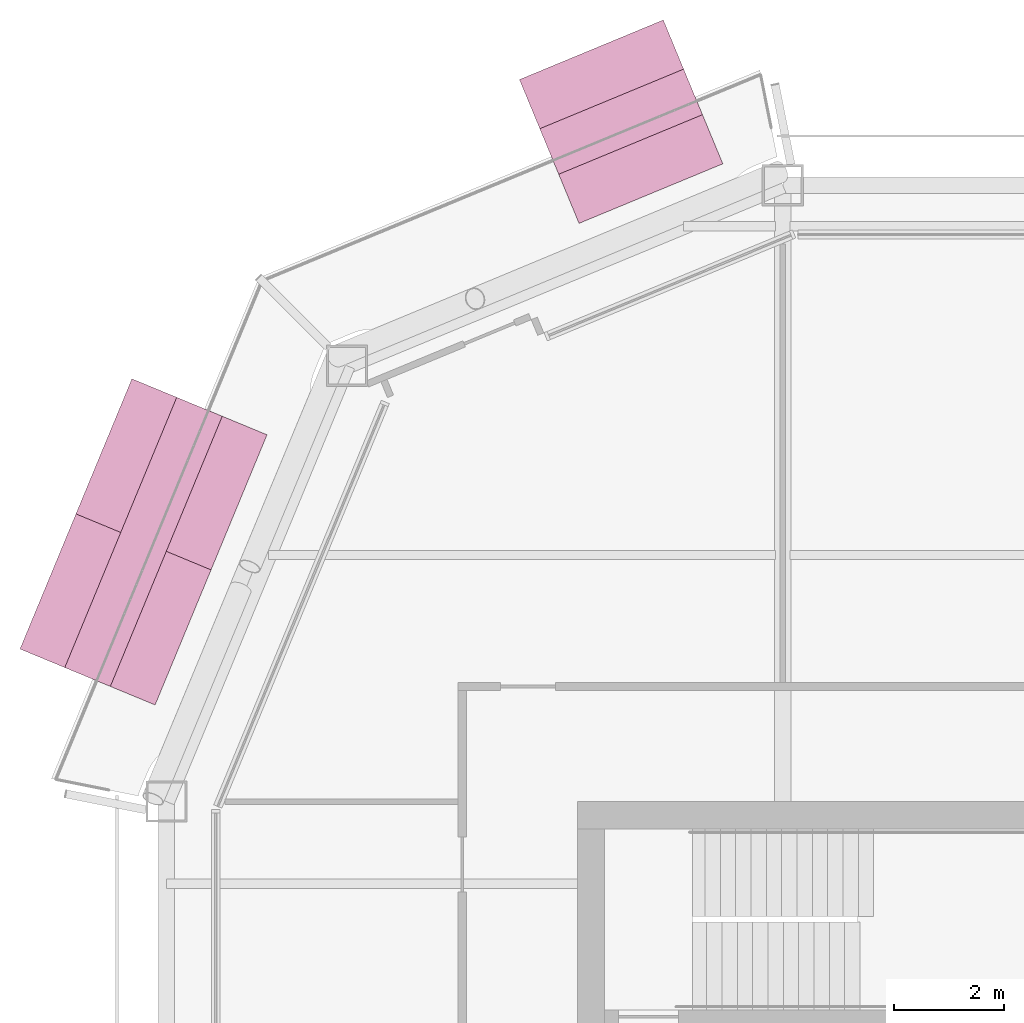
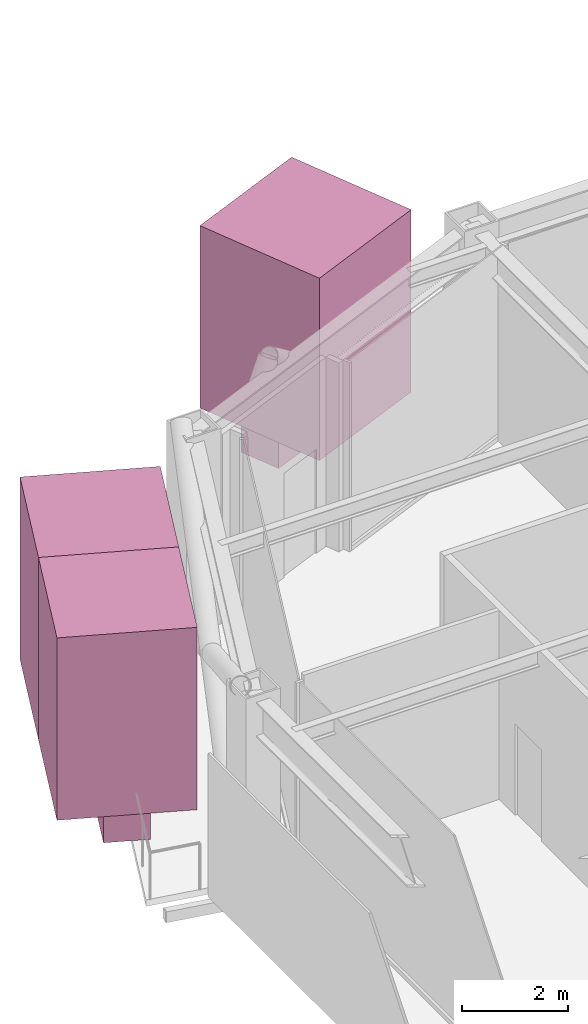
# One storey, part 21 of 21: 5 furnishings.
"""IFC4 building model written with IfcOpenShell, lengths in metres."""

from ifc_helpers import new_model, si_unit, direction, frame, origin, origin_2d, place, context, subcontext, project, spatial, rectangle, extrude, material, type_object, element, save


model = new_model("IFC4")

# Units and contexts
model_context = context("Model", 3, precision=1e-05, world=origin(), true_north=direction((0.0, 1.0)))
body_context = subcontext(model_context, "Body", "Model", "MODEL_VIEW")
ifc_project = project(units=[si_unit("LENGTHUNIT", "METRE"), si_unit("AREAUNIT", "SQUARE_METRE"), si_unit("VOLUMEUNIT", "CUBIC_METRE"), si_unit("PLANEANGLEUNIT", "RADIAN"), si_unit("MASSUNIT", "GRAM", prefix="KILO")], contexts=[model_context])

# Site, building, storey
site_placement = place(None, origin())
site = spatial("IfcSite", under=ifc_project, at=site_placement, CompositionType="ELEMENT")
building_placement = place(site_placement, origin())
building = spatial("IfcBuilding", under=site, at=building_placement, Name="Siwar Civic Tower", CompositionType="ELEMENT")
storey_placement = place(building_placement, frame((0.0, 0.0, 312.199951171875)))
storey = spatial("IfcBuildingStorey", under=building, at=storey_placement, Name="L67", CompositionType="ELEMENT", Elevation=312.199951171875)

# Furnishings
ifc_material_1 = material(Name="Planting soil and foliage")
furnishing_element_type_1 = type_object("IfcFurnishingElementType", Name="ENV-PLANTER", material=ifc_material_1)
furnishing_1_placement = place(storey_placement, frame((-16.449951171875, 25.909423828125, 0.0), z_axis=(0.0, 0.0, 1.0), x_axis=(-0.923879532511, -0.382683432365, 0.0)))
element("IfcFurnishingElement", 1, at=furnishing_1_placement, inside=storey, type_object=furnishing_element_type_1, Name="PLANTER NW 1", context=body_context, shape_type="SweptSolid", body=[
    extrude(rectangle(XDim=2.84130859375, YDim=0.89990234375, at=origin_2d()), origin(), (0.0, 0.0, 1.0), 0.60009765625),
])
furnishing_2_placement = place(storey_placement, frame((-25.16796875, 18.23974609375, 0.0), z_axis=(0.0, 0.0, 1.0), x_axis=(-0.382683432365, -0.923879532511, 0.0)))
element("IfcFurnishingElement", 2, at=furnishing_2_placement, inside=storey, type_object=furnishing_element_type_1, Name="PLANTER NW 2", context=body_context, shape_type="SweptSolid", body=[
    extrude(rectangle(XDim=5.33837890625, YDim=0.89990234375, at=origin_2d()), origin(), (0.0, 0.0, 1.0), 0.60009765625),
])
ifc_material_2 = material(Name="Planting soil and foliage")
furnishing_element_type_2 = type_object("IfcFurnishingElementType", Name="ENV-TREE", material=ifc_material_2)
furnishing_3_placement = place(storey_placement, frame((-16.449951171875, 25.909423828125, 0.60009765625), z_axis=(0.0, 0.0, 1.0), x_axis=(-0.923879532511, -0.382683432365, 0.0)))
element("IfcFurnishingElement", 3, at=furnishing_3_placement, inside=storey, type_object=furnishing_element_type_2, Name="PLANTER (TREE) NW 1.1", context=body_context, shape_type="SweptSolid", body=[
    extrude(rectangle(XDim=2.84130859375, YDim=2.84130859375, at=origin_2d()), origin(), (0.0, 0.0, 1.0), 4.199951171875),
])
for number, where, z_axis, x_axis, name in (
    (4, (-24.6572265625, 19.472900390625, 0.60009765625), (0.0, 0.0, 1.0), (-0.382683432365, -0.923879532511, 0.0), "PLANTER (TREE) NW 2.1"),
    (5, (-25.6787109375, 17.0068359375, 0.60009765625), (0.0, 0.0, 1.0), (-0.382683432365, -0.923879532511, 0.0), "PLANTER (TREE) NW 2.2"),
):
    element("IfcFurnishingElement", number, at=place(storey_placement, frame(where, z_axis=z_axis, x_axis=x_axis)), inside=storey, type_object=furnishing_element_type_2, Name=name, context=body_context, shape_type="SweptSolid", body=[
        extrude(rectangle(XDim=2.669189453125, YDim=2.669189453125, at=origin_2d()), origin(), (0.0, 0.0, 1.0), 4.199951171875),
    ])

save(model, "model.ifc")
